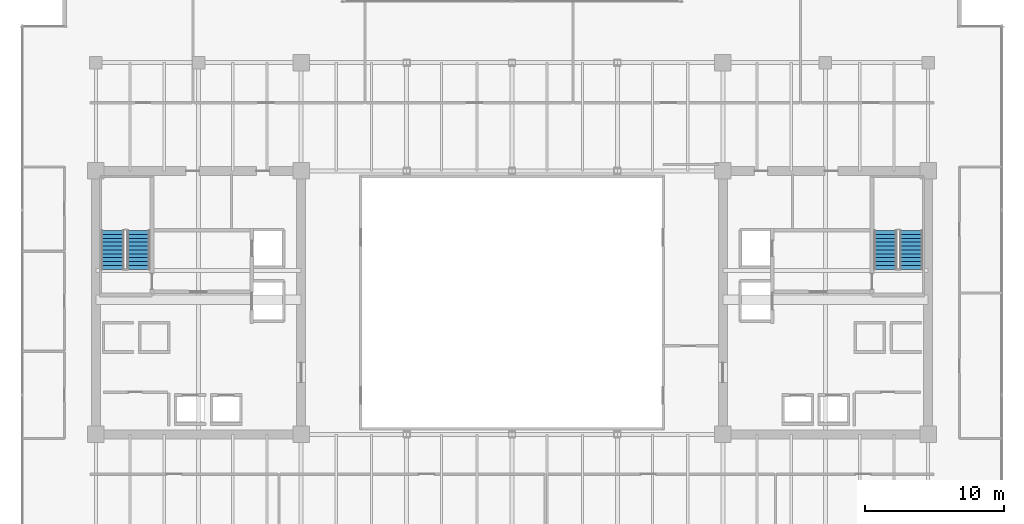
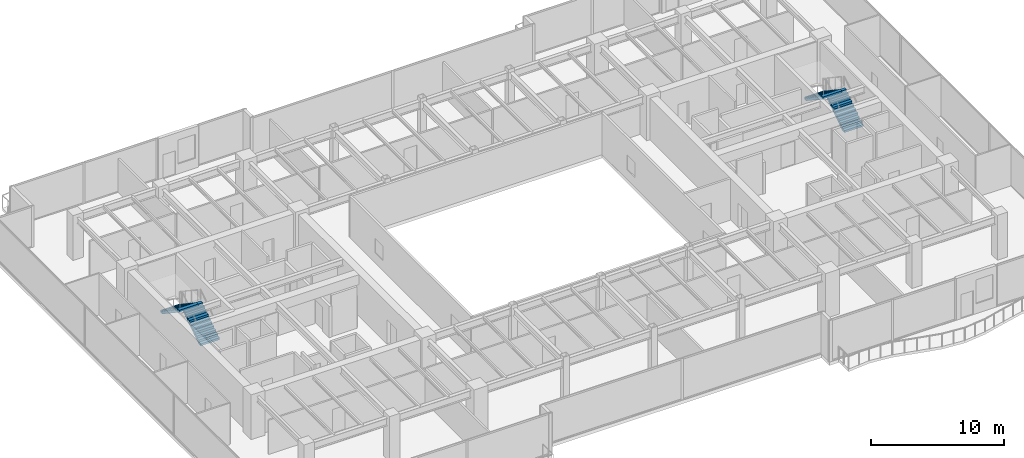
# One storey, part 27 of 30: 4 stair flights, 2 elements without a shape of their own.
"""IFC4 building model written with IfcOpenShell, lengths in metres."""

import ifcopenshell
import ifcopenshell.guid

model = None  # the IFC model being written
_history = None  # IfcOwnerHistory: only IFC2X3 demands one
_inside = {}  # id of a spatial element -> (the spatial element, [elements in it])
_under = {}  # id of a project, library or spatial element -> (it, [spatial elements below it])
_declared = {}  # id of a project -> (the project, [libraries it declares])
_typed = {}  # id of a type object -> (the type object, [elements of that type])
_made_of = {}  # id of a material, layer set ... -> (it, [elements and type objects made of it])


def new_model(schema):
    """Start an empty IFC model of exactly this schema.

    Asked for "IFC4X3", IfcOpenShell would pick the latest addendum, in which some entities
    have other attributes; the version numbers below select the first issue.
    IFC2X3 requires an IfcOwnerHistory on every rooted entity: one is made here for all.
    """
    global model, _history
    if schema == "IFC4X3":
        model = ifcopenshell.file(schema_version=(4, 3, 0, 0))
    else:
        model = ifcopenshell.file(schema=schema)
    _inside.clear()
    _under.clear()
    _declared.clear()
    _typed.clear()
    _made_of.clear()
    _history = None
    if model.schema == "IFC2X3":
        org = make("IfcOrganization", Name="unknown")
        user = make(
            "IfcPersonAndOrganization",
            ThePerson=make("IfcPerson", FamilyName="unknown"),
            TheOrganization=org,
        )
        app = make(
            "IfcApplication",
            ApplicationDeveloper=org,
            Version="unknown",
            ApplicationFullName="unknown",
            ApplicationIdentifier="unknown",
        )
        _history = make(
            "IfcOwnerHistory",
            OwningUser=user,
            OwningApplication=app,
            ChangeAction="ADDED",
            CreationDate=0,
        )
    return model


def make(cls, **values):
    """One entity of the class cls with the attributes given. An attribute that is None is left unset."""
    return model.create_entity(
        cls, **{name: value for name, value in values.items() if value is not None}
    )


def rooted(cls, **values):
    """An entity with a GlobalId (a new one), such as an element, a storey or a relation."""
    return make(cls, GlobalId=ifcopenshell.guid.new(), OwnerHistory=_history, **values)


def si_unit(unit_type, name, prefix=None):
    """IfcSIUnit, for example si_unit("LENGTHUNIT", "METRE", prefix="MILLI")."""
    return make("IfcSIUnit", UnitType=unit_type, Prefix=prefix, Name=name)


def assignment(units):
    """IfcUnitAssignment: the units of a project."""
    return None if units is None else make("IfcUnitAssignment", Units=units)


def point(xyz):
    """IfcCartesianPoint."""
    return None if xyz is None else make("IfcCartesianPoint", Coordinates=xyz)


def direction(xyz):
    """IfcDirection."""
    return None if xyz is None else make("IfcDirection", DirectionRatios=xyz)


def frame(location, z_axis=None, x_axis=None):
    """IfcAxis2Placement3D, a coordinate frame: its origin and axes. An axis left out is left unset."""
    return make(
        "IfcAxis2Placement3D",
        Location=point(location),
        Axis=direction(z_axis),
        RefDirection=direction(x_axis),
    )


def origin():
    """The frame at (0, 0, 0) with its axes left unset."""
    return frame((0.0, 0.0, 0.0))


def place(relative_to, where):
    """IfcLocalPlacement: puts the frame where relative to a parent placement (None: the world)."""
    return make(
        "IfcLocalPlacement", PlacementRelTo=relative_to, RelativePlacement=where
    )


def context(
    kind, dimensions, precision=None, world=None, true_north=None, identifier=None
):
    """IfcGeometricRepresentationContext, for example the 3D "Model" context."""
    return make(
        "IfcGeometricRepresentationContext",
        ContextIdentifier=identifier,
        ContextType=kind,
        CoordinateSpaceDimension=dimensions,
        Precision=precision,
        WorldCoordinateSystem=world,
        TrueNorth=true_north,
    )


def subcontext(parent, identifier, kind, view, scale=None):
    """IfcGeometricRepresentationSubContext, for example "Body" below "Model"."""
    return make(
        "IfcGeometricRepresentationSubContext",
        ContextIdentifier=identifier,
        ContextType=kind,
        ParentContext=parent,
        TargetScale=scale,
        TargetView=view,
    )


def project(units=None, contexts=None):
    """IfcProject with its units and contexts."""
    return rooted(
        "IfcProject",
        Name="project",
        RepresentationContexts=contexts,
        UnitsInContext=assignment(units),
    )


def spatial(cls, under=None, at=None, **own):
    """A site, building, storey or space (cls), placed at a placement, below another one or the project."""
    s = rooted(cls, ObjectPlacement=at, **own)
    if under is not None:
        _under.setdefault(under.id(), (under, []))[1].append(s)
    return s


def polyline(points):
    """IfcPolyline through the points."""
    return make("IfcPolyline", Points=[point(p) for p in points])


def outline(outer, holes=None, kind="AREA"):
    """IfcArbitraryClosedProfileDef: a profile drawn as a closed curve; with holes, ...WithVoids."""
    if holes is None:
        return make("IfcArbitraryClosedProfileDef", ProfileType=kind, OuterCurve=outer)
    return make(
        "IfcArbitraryProfileDefWithVoids",
        ProfileType=kind,
        OuterCurve=outer,
        InnerCurves=holes,
    )


def extrude(swept, where, along, depth):
    """IfcExtrudedAreaSolid: the profile swept, set in the frame where, extruded along a direction by depth."""
    return make(
        "IfcExtrudedAreaSolid",
        SweptArea=swept,
        Position=where,
        ExtrudedDirection=direction(along),
        Depth=depth,
    )


def shape(context_of_items, identifier, shape_type, items):
    """IfcShapeRepresentation: the items that make up one representation, for example the "Body"."""
    return make(
        "IfcShapeRepresentation",
        ContextOfItems=context_of_items,
        RepresentationIdentifier=identifier,
        RepresentationType=shape_type,
        Items=items,
    )


def source(mapping_origin, context_of_items, identifier, shape_type, items):
    """IfcRepresentationMap: a shape defined once, which mapped items show again and again."""
    return make(
        "IfcRepresentationMap",
        MappingOrigin=mapping_origin,
        MappedRepresentation=shape(context_of_items, identifier, shape_type, items),
    )


def transform(
    local_origin,
    x_axis=None,
    y_axis=None,
    z_axis=None,
    scale=None,
    scale2=None,
    scale3=None,
    uniform=True,
):
    """IfcCartesianTransformationOperator3D, or its non-uniform kind. x_axis, y_axis, z_axis: its Axis1, 2, 3."""
    if uniform:
        return make(
            "IfcCartesianTransformationOperator3D",
            Axis1=direction(x_axis),
            Axis2=direction(y_axis),
            LocalOrigin=point(local_origin),
            Scale=scale,
            Axis3=direction(z_axis),
        )
    return make(
        "IfcCartesianTransformationOperator3DnonUniform",
        Axis1=direction(x_axis),
        Axis2=direction(y_axis),
        LocalOrigin=point(local_origin),
        Scale=scale,
        Axis3=direction(z_axis),
        Scale2=scale2,
        Scale3=scale3,
    )


def mapped(mapping_source, mapping_target):
    """IfcMappedItem: shows the shape of a source again, moved by a transform."""
    return make(
        "IfcMappedItem", MappingSource=mapping_source, MappingTarget=mapping_target
    )


def material(Name=None, Category=None):
    """IfcMaterial."""
    return make("IfcMaterial", Name=Name, Category=Category)


def made_of(thing, what):
    """Note that an element or type object is made of a material, layer set ...; save() writes the relation."""
    if what is not None:
        _made_of.setdefault(what.id(), (what, []))[1].append(thing)
    return thing


def type_object(cls, material=None, **own):
    """A type object (cls), such as IfcWallType, which elements share."""
    return made_of(rooted(cls, **own), material)


def type_shapes(of_type, sources):
    """Give a type object the sources (RepresentationMaps) that its elements show as mapped items."""
    of_type.RepresentationMaps = sources


def element(
    cls,
    number,
    at=None,
    inside=None,
    cuts=None,
    type_object=None,
    material=None,
    context=None,
    identifier="Body",
    shape_type=None,
    held_by="IfcProductDefinitionShape",
    body=None,
    shapes=None,
    **own,
):
    """One element of the class cls, such as IfcWall. Its Tag is "e" and its number.

    at: its placement. inside: the storey or other place that contains it. cuts: it is an
    opening in that element (IfcRelVoidsElement). A single representation is given by context,
    identifier, shape_type and body (its items); several are given by shapes. held_by: the class
    of the entity that holds the representations. save() writes the other relations.
    """
    e = rooted(cls, Tag="e%d" % number, ObjectPlacement=at, **own)
    if body is not None:
        shapes = [shape(context, identifier, shape_type, body)]
    if shapes is not None:
        e.Representation = make(held_by, Representations=shapes)
    if inside is not None:
        _inside.setdefault(inside.id(), (inside, []))[1].append(e)
    if cuts is not None:
        rooted(
            "IfcRelVoidsElement", RelatingBuildingElement=cuts, RelatedOpeningElement=e
        )
    if type_object is not None:
        _typed.setdefault(type_object.id(), (type_object, []))[1].append(e)
    return made_of(e, material)


def aggregate(whole, parts):
    """IfcRelAggregates: a whole, such as a stair, and the parts it consists of."""
    return rooted("IfcRelAggregates", RelatingObject=whole, RelatedObjects=parts)


def save(model, path):
    """Write the relations noted so far, then the file.

    IfcRelAggregates (storeys below a building ...), IfcRelContainedInSpatialStructure (elements
    in a storey), IfcRelDefinesByType, IfcRelAssociatesMaterial and IfcRelDeclares: one each for
    every whole, place, type object, material and project.
    """
    for whole, parts in _under.values():
        aggregate(whole, parts)
    for where, things in _inside.values():
        rooted(
            "IfcRelContainedInSpatialStructure",
            RelatedElements=things,
            RelatingStructure=where,
        )
    for kind, things in _typed.values():
        rooted("IfcRelDefinesByType", RelatedObjects=things, RelatingType=kind)
    for what, things in _made_of.values():
        rooted("IfcRelAssociatesMaterial", RelatedObjects=things, RelatingMaterial=what)
    for by, libraries in _declared.values():
        rooted("IfcRelDeclares", RelatingContext=by, RelatedDefinitions=libraries)
    model.write(path)


model = new_model("IFC4")

# Units and contexts
model_context = context("Model", 3, precision=1e-05, world=origin(), true_north=direction((0.0, 1.0)))
body_context = subcontext(model_context, "Body", "Model", "MODEL_VIEW")
ifc_project = project(units=[si_unit("LENGTHUNIT", "METRE"), si_unit("AREAUNIT", "SQUARE_METRE"), si_unit("VOLUMEUNIT", "CUBIC_METRE"), si_unit("PLANEANGLEUNIT", "RADIAN"), si_unit("MASSUNIT", "GRAM", prefix="KILO")], contexts=[model_context])

# Site, building, storey
site_placement = place(None, origin())
site = spatial("IfcSite", under=ifc_project, at=site_placement, CompositionType="ELEMENT")
building_placement = place(site_placement, origin())
building = spatial("IfcBuilding", under=site, at=building_placement, Name="Haelvirn Gate Laboratories", CompositionType="ELEMENT")
storey_placement = place(building_placement, frame((0.0, 0.0, 113.300048828125)))
storey = spatial("IfcBuildingStorey", under=building, at=storey_placement, Name="L27", CompositionType="ELEMENT", Elevation=113.300048828125)

# Stair, stair flights
ifc_material = material(Name="Concrete C40/50", Category="concrete")
stair_type = type_object("IfcStairType", Name="ST-DOG-1650-R22", PredefinedType="HALF_TURN_STAIR", material=ifc_material)
stair_1_placement = place(storey_placement, origin())
stair_1 = element("IfcStair", 1, at=stair_1_placement, inside=storey, type_object=stair_type, Name="L27 Escape Stair ST1", PredefinedType="HALF_TURN_STAIR")
stair_flight_type = type_object("IfcStairFlightType", Name="STF-1650-R11", PredefinedType="STRAIGHT", material=ifc_material)
shared_shape = source(origin(), body_context, "Body", "SweptSolid", [
    extrude(outline(polyline([(0.0, 0.0), (0.0, 0.186279296875), (0.280029296875, 0.186279296875), (0.280029296875, 0.372802734375), (0.56005859375, 0.372802734375), (0.56005859375, 0.55908203125), (0.840087890625, 0.55908203125), (0.840087890625, 0.745361328125), (1.1201171875, 0.745361328125), (1.1201171875, 0.931884765625), (1.39990234375, 0.931884765625), (1.39990234375, 1.1181640625), (1.679931640625, 1.1181640625), (1.679931640625, 1.304443359375), (1.9599609375, 1.304443359375), (1.9599609375, 1.490966796875), (2.239990234375, 1.490966796875), (2.239990234375, 1.67724609375), (2.52001953125, 1.67724609375), (2.52001953125, 1.863525390625), (2.800048828125, 1.863525390625), (2.800048828125, 2.050048828125), (2.800048828125, 1.671630859375), (0.28857421875, 0.0), (0.0, 0.0)])), frame((0.0, 0.824951171875, 0.0), z_axis=(0.0, -1.0, 0.0), x_axis=(1.0, 0.0, 0.0)), (0.0, 0.0, 1.0), 1.64990234375),
])
type_shapes(stair_flight_type, [shared_shape])
stair_flight_1_placement = place(storey_placement, frame((10.47509765625, 26.699951171875, 0.0), z_axis=(0.0, 0.0, 1.0), x_axis=(0.0, 1.0, 0.0)))
stair_flight_1 = element("IfcStairFlight", 2, at=stair_flight_1_placement, type_object=stair_flight_type, Name="ST1 flight 1", NumberOfRisers=11, NumberOfTreads=10, PredefinedType="STRAIGHT", RiserHeight=0.186363636, TreadLength=0.28, context=body_context, shape_type="MappedRepresentation", body=[
    mapped(shared_shape, transform((0.0, 0.0, 0.0), scale=1.0)),
])
stair_flight_2_placement = place(storey_placement, frame((8.625, 29.5, 2.050048828125), z_axis=(0.0, 0.0, 1.0), x_axis=(0.0, -1.0, 0.0)))
stair_flight_2 = element("IfcStairFlight", 3, at=stair_flight_2_placement, type_object=stair_flight_type, Name="ST1 flight 2", NumberOfRisers=11, NumberOfTreads=10, PredefinedType="STRAIGHT", RiserHeight=0.186363636, TreadLength=0.28, context=body_context, shape_type="MappedRepresentation", body=[
    mapped(shared_shape, transform((0.0, 0.0, 0.0), scale=1.0)),
])
aggregate(stair_1, [stair_flight_1, stair_flight_2])

stair_2_placement = place(storey_placement, origin())
stair_2 = element("IfcStair", 4, at=stair_2_placement, inside=storey, type_object=stair_type, Name="L27 Escape Stair ST2", PredefinedType="HALF_TURN_STAIR")
stair_flight_3_placement = place(storey_placement, frame((66.175048828125, 26.699951171875, 0.0), z_axis=(0.0, 0.0, 1.0), x_axis=(0.0, 1.0, 0.0)))
stair_flight_3 = element("IfcStairFlight", 5, at=stair_flight_3_placement, type_object=stair_flight_type, Name="ST2 flight 1", NumberOfRisers=11, NumberOfTreads=10, PredefinedType="STRAIGHT", RiserHeight=0.186363636, TreadLength=0.28, context=body_context, shape_type="MappedRepresentation", body=[
    mapped(shared_shape, transform((0.0, 0.0, 0.0), scale=1.0)),
])
stair_flight_4_placement = place(storey_placement, frame((64.324951171875, 29.5, 2.050048828125), z_axis=(0.0, 0.0, 1.0), x_axis=(0.0, -1.0, 0.0)))
stair_flight_4 = element("IfcStairFlight", 6, at=stair_flight_4_placement, type_object=stair_flight_type, Name="ST2 flight 2", NumberOfRisers=11, NumberOfTreads=10, PredefinedType="STRAIGHT", RiserHeight=0.186363636, TreadLength=0.28, context=body_context, shape_type="MappedRepresentation", body=[
    mapped(shared_shape, transform((0.0, 0.0, 0.0), scale=1.0)),
])
aggregate(stair_2, [stair_flight_3, stair_flight_4])

save(model, "model.ifc")
